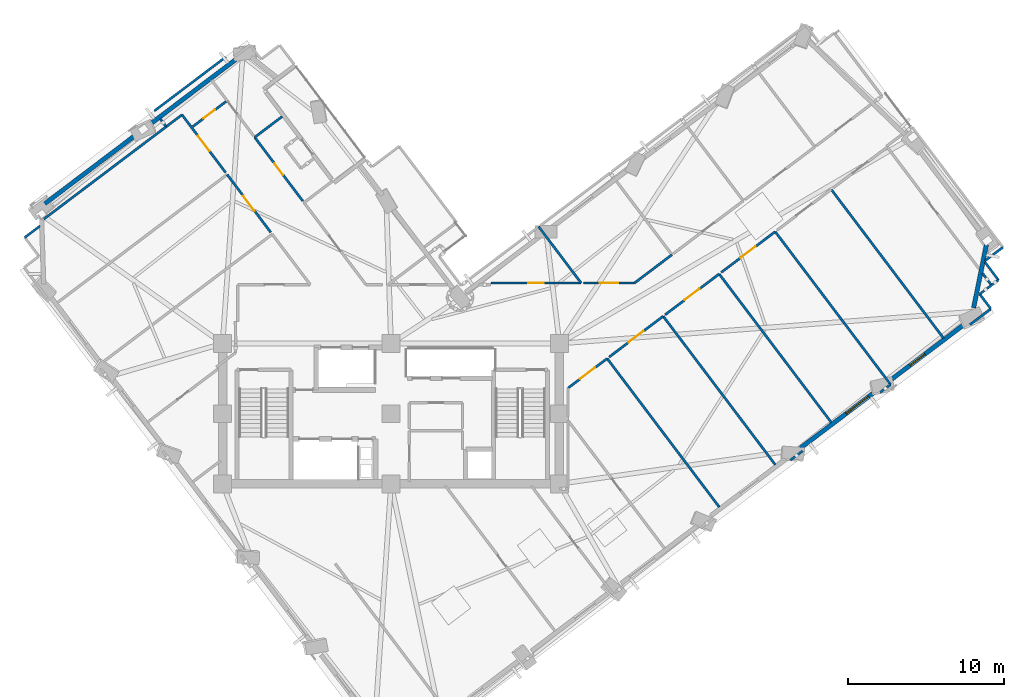
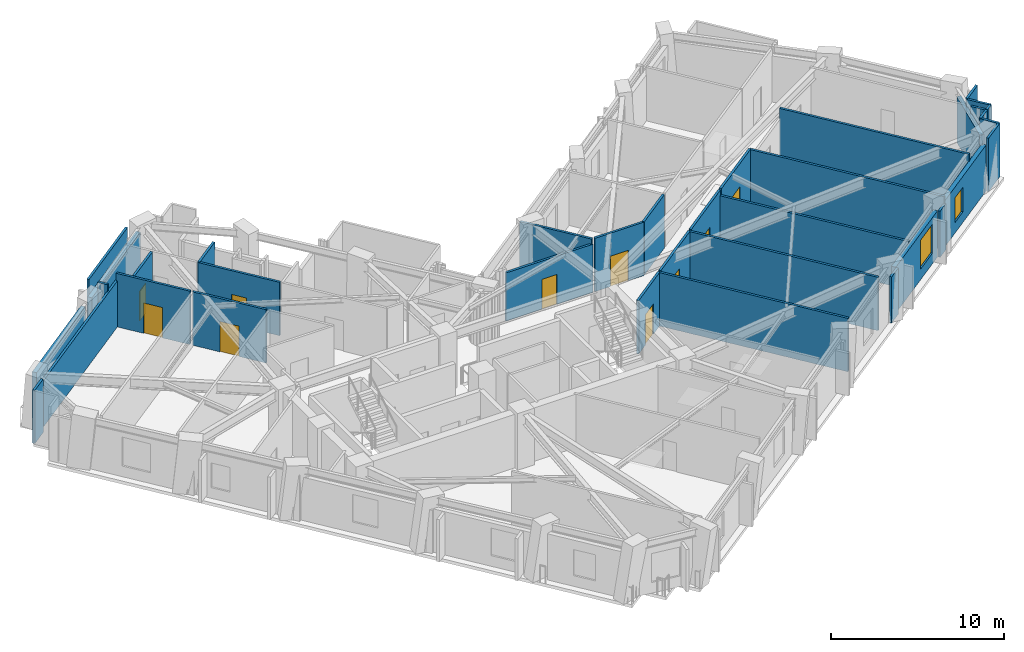
# One storey, part 8 of 15: 36 walls, 10 doors, 2 windows, 12 openings.
"""IFC4 building model written with IfcOpenShell, lengths in metres."""

import ifcopenshell
import ifcopenshell.guid

model = None  # the IFC model being written
_history = None  # IfcOwnerHistory: only IFC2X3 demands one
_inside = {}  # id of a spatial element -> (the spatial element, [elements in it])
_under = {}  # id of a project, library or spatial element -> (it, [spatial elements below it])
_declared = {}  # id of a project -> (the project, [libraries it declares])
_typed = {}  # id of a type object -> (the type object, [elements of that type])
_made_of = {}  # id of a material, layer set ... -> (it, [elements and type objects made of it])


def new_model(schema):
    """Start an empty IFC model of exactly this schema.

    Asked for "IFC4X3", IfcOpenShell would pick the latest addendum, in which some entities
    have other attributes; the version numbers below select the first issue.
    IFC2X3 requires an IfcOwnerHistory on every rooted entity: one is made here for all.
    """
    global model, _history
    if schema == "IFC4X3":
        model = ifcopenshell.file(schema_version=(4, 3, 0, 0))
    else:
        model = ifcopenshell.file(schema=schema)
    _inside.clear()
    _under.clear()
    _declared.clear()
    _typed.clear()
    _made_of.clear()
    _history = None
    if model.schema == "IFC2X3":
        org = make("IfcOrganization", Name="unknown")
        user = make(
            "IfcPersonAndOrganization",
            ThePerson=make("IfcPerson", FamilyName="unknown"),
            TheOrganization=org,
        )
        app = make(
            "IfcApplication",
            ApplicationDeveloper=org,
            Version="unknown",
            ApplicationFullName="unknown",
            ApplicationIdentifier="unknown",
        )
        _history = make(
            "IfcOwnerHistory",
            OwningUser=user,
            OwningApplication=app,
            ChangeAction="ADDED",
            CreationDate=0,
        )
    return model


def make(cls, **values):
    """One entity of the class cls with the attributes given. An attribute that is None is left unset."""
    return model.create_entity(
        cls, **{name: value for name, value in values.items() if value is not None}
    )


def rooted(cls, **values):
    """An entity with a GlobalId (a new one), such as an element, a storey or a relation."""
    return make(cls, GlobalId=ifcopenshell.guid.new(), OwnerHistory=_history, **values)


def si_unit(unit_type, name, prefix=None):
    """IfcSIUnit, for example si_unit("LENGTHUNIT", "METRE", prefix="MILLI")."""
    return make("IfcSIUnit", UnitType=unit_type, Prefix=prefix, Name=name)


def assignment(units):
    """IfcUnitAssignment: the units of a project."""
    return None if units is None else make("IfcUnitAssignment", Units=units)


def point(xyz):
    """IfcCartesianPoint."""
    return None if xyz is None else make("IfcCartesianPoint", Coordinates=xyz)


def direction(xyz):
    """IfcDirection."""
    return None if xyz is None else make("IfcDirection", DirectionRatios=xyz)


def frame(location, z_axis=None, x_axis=None):
    """IfcAxis2Placement3D, a coordinate frame: its origin and axes. An axis left out is left unset."""
    return make(
        "IfcAxis2Placement3D",
        Location=point(location),
        Axis=direction(z_axis),
        RefDirection=direction(x_axis),
    )


def frame_2d(location, x_axis=None):
    """IfcAxis2Placement2D, a coordinate frame in the plane: its origin and x axis."""
    return make(
        "IfcAxis2Placement2D", Location=point(location), RefDirection=direction(x_axis)
    )


def origin():
    """The frame at (0, 0, 0) with its axes left unset."""
    return frame((0.0, 0.0, 0.0))


def place(relative_to, where):
    """IfcLocalPlacement: puts the frame where relative to a parent placement (None: the world)."""
    return make(
        "IfcLocalPlacement", PlacementRelTo=relative_to, RelativePlacement=where
    )


def context(
    kind, dimensions, precision=None, world=None, true_north=None, identifier=None
):
    """IfcGeometricRepresentationContext, for example the 3D "Model" context."""
    return make(
        "IfcGeometricRepresentationContext",
        ContextIdentifier=identifier,
        ContextType=kind,
        CoordinateSpaceDimension=dimensions,
        Precision=precision,
        WorldCoordinateSystem=world,
        TrueNorth=true_north,
    )


def subcontext(parent, identifier, kind, view, scale=None):
    """IfcGeometricRepresentationSubContext, for example "Body" below "Model"."""
    return make(
        "IfcGeometricRepresentationSubContext",
        ContextIdentifier=identifier,
        ContextType=kind,
        ParentContext=parent,
        TargetScale=scale,
        TargetView=view,
    )


def project(units=None, contexts=None):
    """IfcProject with its units and contexts."""
    return rooted(
        "IfcProject",
        Name="project",
        RepresentationContexts=contexts,
        UnitsInContext=assignment(units),
    )


def spatial(cls, under=None, at=None, **own):
    """A site, building, storey or space (cls), placed at a placement, below another one or the project."""
    s = rooted(cls, ObjectPlacement=at, **own)
    if under is not None:
        _under.setdefault(under.id(), (under, []))[1].append(s)
    return s


def profile(cls, at=None, kind="AREA", **sizes):
    """A parametric profile (cls). Its sizes go by their IFC names, for example OverallWidth=200.0."""
    return make(cls, ProfileType=kind, Position=at, **sizes)


def rectangle(**sizes):
    """IfcRectangleProfileDef."""
    return profile("IfcRectangleProfileDef", **sizes)


def extrude(swept, where, along, depth):
    """IfcExtrudedAreaSolid: the profile swept, set in the frame where, extruded along a direction by depth."""
    return make(
        "IfcExtrudedAreaSolid",
        SweptArea=swept,
        Position=where,
        ExtrudedDirection=direction(along),
        Depth=depth,
    )


def shape(context_of_items, identifier, shape_type, items):
    """IfcShapeRepresentation: the items that make up one representation, for example the "Body"."""
    return make(
        "IfcShapeRepresentation",
        ContextOfItems=context_of_items,
        RepresentationIdentifier=identifier,
        RepresentationType=shape_type,
        Items=items,
    )


def material(Name=None, Category=None):
    """IfcMaterial."""
    return make("IfcMaterial", Name=Name, Category=Category)


def layer(
    of_material, thickness, ventilated=None, Name=None, Category=None, Priority=None
):
    """IfcMaterialLayer: one layer of a wall or slab, of a material (None: an air gap)."""
    return make(
        "IfcMaterialLayer",
        Material=of_material,
        LayerThickness=thickness,
        IsVentilated=ventilated,
        Name=Name,
        Category=Category,
        Priority=Priority,
    )


def layer_set(layers, Name=None):
    """IfcMaterialLayerSet."""
    return make("IfcMaterialLayerSet", MaterialLayers=layers, LayerSetName=Name)


def made_of(thing, what):
    """Note that an element or type object is made of a material, layer set ...; save() writes the relation."""
    if what is not None:
        _made_of.setdefault(what.id(), (what, []))[1].append(thing)
    return thing


def type_object(cls, material=None, **own):
    """A type object (cls), such as IfcWallType, which elements share."""
    return made_of(rooted(cls, **own), material)


def element(
    cls,
    number,
    at=None,
    inside=None,
    cuts=None,
    type_object=None,
    material=None,
    context=None,
    identifier="Body",
    shape_type=None,
    held_by="IfcProductDefinitionShape",
    body=None,
    shapes=None,
    **own,
):
    """One element of the class cls, such as IfcWall. Its Tag is "e" and its number.

    at: its placement. inside: the storey or other place that contains it. cuts: it is an
    opening in that element (IfcRelVoidsElement). A single representation is given by context,
    identifier, shape_type and body (its items); several are given by shapes. held_by: the class
    of the entity that holds the representations. save() writes the other relations.
    """
    e = rooted(cls, Tag="e%d" % number, ObjectPlacement=at, **own)
    if body is not None:
        shapes = [shape(context, identifier, shape_type, body)]
    if shapes is not None:
        e.Representation = make(held_by, Representations=shapes)
    if inside is not None:
        _inside.setdefault(inside.id(), (inside, []))[1].append(e)
    if cuts is not None:
        rooted(
            "IfcRelVoidsElement", RelatingBuildingElement=cuts, RelatedOpeningElement=e
        )
    if type_object is not None:
        _typed.setdefault(type_object.id(), (type_object, []))[1].append(e)
    return made_of(e, material)


def fill(opening, filler):
    """IfcRelFillsElement: the door or window that sits in an opening."""
    return rooted(
        "IfcRelFillsElement",
        RelatingOpeningElement=opening,
        RelatedBuildingElement=filler,
    )


def aggregate(whole, parts):
    """IfcRelAggregates: a whole, such as a stair, and the parts it consists of."""
    return rooted("IfcRelAggregates", RelatingObject=whole, RelatedObjects=parts)


def save(model, path):
    """Write the relations noted so far, then the file.

    IfcRelAggregates (storeys below a building ...), IfcRelContainedInSpatialStructure (elements
    in a storey), IfcRelDefinesByType, IfcRelAssociatesMaterial and IfcRelDeclares: one each for
    every whole, place, type object, material and project.
    """
    for whole, parts in _under.values():
        aggregate(whole, parts)
    for where, things in _inside.values():
        rooted(
            "IfcRelContainedInSpatialStructure",
            RelatedElements=things,
            RelatingStructure=where,
        )
    for kind, things in _typed.values():
        rooted("IfcRelDefinesByType", RelatedObjects=things, RelatingType=kind)
    for what, things in _made_of.values():
        rooted("IfcRelAssociatesMaterial", RelatedObjects=things, RelatingMaterial=what)
    for by, libraries in _declared.values():
        rooted("IfcRelDeclares", RelatingContext=by, RelatedDefinitions=libraries)
    model.write(path)


model = new_model("IFC4")

# Units and contexts
model_context = context("Model", 3, precision=1e-05, world=origin(), true_north=direction((0.0, 1.0)))
body_context = subcontext(model_context, "Body", "Model", "MODEL_VIEW")
ifc_project = project(units=[si_unit("LENGTHUNIT", "METRE"), si_unit("AREAUNIT", "SQUARE_METRE"), si_unit("VOLUMEUNIT", "CUBIC_METRE"), si_unit("PLANEANGLEUNIT", "RADIAN"), si_unit("MASSUNIT", "GRAM", prefix="KILO")], contexts=[model_context])

# Site, building, storey
site_placement = place(None, origin())
site = spatial("IfcSite", under=ifc_project, at=site_placement, CompositionType="ELEMENT")
building_placement = place(site_placement, origin())
building = spatial("IfcBuilding", under=site, at=building_placement, Name="Gaonmaruhae Medical Tower", CompositionType="ELEMENT")
storey_placement = place(building_placement, frame((0.0, 0.0, 181.800048828125)))
storey = spatial("IfcBuildingStorey", under=building, at=storey_placement, Name="L43", CompositionType="ELEMENT", Elevation=181.800048828125)

# Wall, opening, window
ifc_material_1 = material(Name="Precast concrete C45/55", Category="concrete")
ifc_layer_1 = layer(ifc_material_1, 0.280029296875)
ifc_layer_set_1 = layer_set([ifc_layer_1], Name="Precast concrete C45/55")
wall_type_1 = type_object("IfcWallType", Name="EW-280 Upper Precast Masonry-Frame Facade Wall", PredefinedType="SOLIDWALL", material=ifc_layer_set_1)
wall_1_placement = place(storey_placement, frame((56.022216796875, 13.8486328125, 0.0), z_axis=(0.0, 0.0, 1.0), x_axis=(-0.798130372836, -0.602484778196, 0.0)))
wall_1 = element("IfcWall", 1, at=wall_1_placement, inside=storey, type_object=wall_type_1, Name="L43 Precast Masonry-Frame Wall S05-S06", PredefinedType="SOLIDWALL", context=body_context, shape_type="SweptSolid", body=[
    extrude(rectangle(XDim=6.21826171875, YDim=0.280029296875, at=frame_2d((3.109130859375, 0.0))), origin(), (0.0, 0.0, 1.0), 3.264892578125),
])
opening_1_placement = place(wall_1_placement, frame((0.745849609375, 0.0, 0.75)))
opening_1 = element("IfcOpeningElement", 2, at=opening_1_placement, cuts=wall_1, Name="Opening WN-04", PredefinedType="OPENING", context=body_context, shape_type="SweptSolid", body=[
    extrude(rectangle(XDim=1.800048828125, YDim=2.050048828125, at=frame_2d((0.89990234375, 1.02490234375))), frame((0.0, 0.14990234375, 0.0), z_axis=(0.0, -1.0, 0.0), x_axis=(1.0, 0.0, 0.0)), (0.0, 0.0, 1.0), 0.300048828125),
])
ifc_material_2 = material(Name="Anodised aluminium and Low-E double glazing", Category="aluminium")
window_type_1 = type_object("IfcWindowType", Name="WN-04 Clinic & Consult Punched Window 1800x2050", PartitioningType="SINGLE_PANEL", PredefinedType="WINDOW", material=ifc_material_2)
window_1_placement = place(opening_1_placement, origin())
window_1 = element("IfcWindow", 3, at=window_1_placement, inside=storey, type_object=window_type_1, Name="L43 Modular Facade Window S05", OverallHeight=2.050048828125, OverallWidth=1.800048828125, PartitioningType="SINGLE_PANEL", PredefinedType="WINDOW", context=body_context, shape_type="SweptSolid", body=[
    extrude(rectangle(XDim=1.800048828125, YDim=2.050048828125, at=frame_2d((0.89990234375, 1.02490234375))), frame((0.0, 0.030029296875, 0.0), z_axis=(0.0, -1.0, 0.0), x_axis=(1.0, 0.0, 0.0)), (0.0, 0.0, 1.0), 0.06005859375),
])
fill(opening_1, window_1)

wall_2_placement = place(storey_placement, frame((61.781005859375, 18.196044921875, 0.0), z_axis=(0.0, 0.0, 1.0), x_axis=(-0.798123503481, -0.602493878136, 0.0)))
wall_2 = element("IfcWall", 4, at=wall_2_placement, inside=storey, type_object=wall_type_1, Name="L43 Precast Masonry-Frame Wall S06-S07", PredefinedType="SOLIDWALL", context=body_context, shape_type="SweptSolid", body=[
    extrude(rectangle(XDim=6.242431640625, YDim=0.280029296875, at=frame_2d((3.12109375, 0.0))), origin(), (0.0, 0.0, 1.0), 3.264892578125),
])
opening_2_placement = place(wall_2_placement, frame((3.4423828125, 0.0, 0.75)))
opening_2 = element("IfcOpeningElement", 5, at=opening_2_placement, cuts=wall_2, Name="Opening WN-05", PredefinedType="OPENING", context=body_context, shape_type="SweptSolid", body=[
    extrude(rectangle(XDim=1.199951171875, YDim=1.75, at=frame_2d((0.60009765625, 0.875))), frame((0.0, 0.14990234375, 0.0), z_axis=(0.0, -1.0, 0.0), x_axis=(1.0, 0.0, 0.0)), (0.0, 0.0, 1.0), 0.300048828125),
])
window_type_2 = type_object("IfcWindowType", Name="WN-05 Support & Staff Punched Window 1200x1750", PartitioningType="SINGLE_PANEL", PredefinedType="WINDOW", material=ifc_material_2)
window_2_placement = place(opening_2_placement, origin())
window_2 = element("IfcWindow", 6, at=window_2_placement, inside=storey, type_object=window_type_2, Name="L43 Modular Facade Window S06", OverallHeight=1.75, OverallWidth=1.199951171875, PartitioningType="SINGLE_PANEL", PredefinedType="WINDOW", context=body_context, shape_type="SweptSolid", body=[
    extrude(rectangle(XDim=1.199951171875, YDim=1.75, at=frame_2d((0.60009765625, 0.875))), frame((0.0, 0.030029296875, 0.0), z_axis=(0.0, -1.0, 0.0), x_axis=(1.0, 0.0, 0.0)), (0.0, 0.0, 1.0), 0.06005859375),
])
fill(opening_2, window_2)

# Walls
wall_3_placement = place(storey_placement, frame((62.98388671875, 23.154052734375, 0.0), z_axis=(0.0, 0.0, 1.0), x_axis=(-0.199365708504, -0.979925157485, 0.0)))
element("IfcWall", 7, at=wall_3_placement, inside=storey, type_object=wall_type_1, Name="L43 Precast Masonry-Frame Wall S07-E01", PredefinedType="SOLIDWALL", context=body_context, shape_type="SweptSolid", body=[
    extrude(rectangle(XDim=4.145263671875, YDim=0.280029296875, at=frame_2d((2.07275390625, 0.0))), origin(), (0.0, 0.0, 1.0), 3.264892578125),
])
wall_4_placement = place(storey_placement, frame((9.164794921875, 30.723388671875, 0.0), z_axis=(0.0, 0.0, 1.0), x_axis=(0.798107969136, 0.602514455928, 0.0)))
element("IfcWall", 8, at=wall_4_placement, inside=storey, type_object=wall_type_1, Name="L43 Precast Masonry-Frame Wall N01-N02", PredefinedType="SOLIDWALL", context=body_context, shape_type="SweptSolid", body=[
    extrude(rectangle(XDim=7.23095703125, YDim=0.280029296875, at=frame_2d((3.615478515625, 0.0))), origin(), (0.0, 0.0, 1.0), 3.264892578125),
])
wall_5_placement = place(storey_placement, frame((2.60107421875, 25.768310546875, 0.0), z_axis=(0.0, 0.0, 1.0), x_axis=(0.798118156469, 0.602500961256, 0.0)))
element("IfcWall", 9, at=wall_5_placement, inside=storey, type_object=wall_type_1, Name="L43 Precast Masonry-Frame Wall N02-N03", PredefinedType="SOLIDWALL", context=body_context, shape_type="SweptSolid", body=[
    extrude(rectangle(XDim=7.27001953125, YDim=0.280029296875, at=frame_2d((3.635009765625, 0.0))), origin(), (0.0, 0.0, 1.0), 3.264892578125),
])
ifc_material_3 = material(Name="Gypsum board partition", Category="gypsum")
ifc_layer_2 = layer(ifc_material_3, 0.14990234375)
ifc_layer_set_2 = layer_set([ifc_layer_2], Name="Gypsum board partition")
wall_type_2 = type_object("IfcWallType", Name="PW-150 Rated Clinical Corridor Partition", PredefinedType="PARTITIONING", material=ifc_layer_set_2)
wall_6_placement = place(storey_placement, frame((38.659912109375, 15.840087890625, 0.0), z_axis=(0.0, 0.0, 1.0), x_axis=(0.602494190997, -0.798123267306, 0.0)))
element("IfcWall", 10, at=wall_6_placement, inside=storey, type_object=wall_type_2, Name="L43 Interior Partition L43-SUP06-18", PredefinedType="PARTITIONING", context=body_context, shape_type="SweptSolid", body=[
    extrude(rectangle(XDim=11.935546875, YDim=0.14990234375, at=frame_2d((5.9677734375, 0.0))), origin(), (0.0, 0.0, 1.0), 3.780029296875),
])

# Wall, opening, door
wall_7_placement = place(storey_placement, frame((36.14990234375, 13.945068359375, 0.0), z_axis=(0.0, 0.0, 1.0), x_axis=(0.79808631642, 0.602543136665, 0.0)))
wall_7 = element("IfcWall", 11, at=wall_7_placement, inside=storey, type_object=wall_type_2, Name="L43 Interior Partition L43-SUP06-21", PredefinedType="PARTITIONING", context=body_context, shape_type="SweptSolid", body=[
    extrude(rectangle(XDim=3.14501953125, YDim=0.14990234375, at=frame_2d((1.572509765625, 0.0))), origin(), (0.0, 0.0, 1.0), 3.780029296875),
])
opening_3_placement = place(wall_7_placement, frame((0.972412109375, 0.0, 0.0)))
opening_3 = element("IfcOpeningElement", 12, at=opening_3_placement, cuts=wall_7, Name="Opening CD-02", PredefinedType="OPENING", context=body_context, shape_type="SweptSolid", body=[
    extrude(rectangle(XDim=1.199951171875, YDim=2.14990234375, at=frame_2d((0.60009765625, 1.074951171875))), frame((0.0, 0.0849609375, 0.0), z_axis=(0.0, -1.0, 0.0), x_axis=(1.0, 0.0, 0.0)), (0.0, 0.0, 1.0), 0.169921875),
])
ifc_material_4 = material(Name="Antimicrobial laminate timber fire door", Category="wood")
door_type_1 = type_object("IfcDoorType", Name="CD-02 Clinical Treatment & Procedure Door 1200x2150", OperationType="NOTDEFINED", PredefinedType="DOOR", material=ifc_material_4)
door_1_placement = place(opening_3_placement, origin())
door_1 = element("IfcDoor", 13, at=door_1_placement, inside=storey, type_object=door_type_1, Name="L43 Clinical Biomedical Charting Office Door", OperationType="SINGLE_SWING_RIGHT", OverallHeight=2.14990234375, OverallWidth=1.199951171875, PredefinedType="DOOR", context=body_context, shape_type="SweptSolid", body=[
    extrude(rectangle(XDim=1.199951171875, YDim=2.14990234375, at=frame_2d((0.60009765625, 1.074951171875))), frame((0.0, 0.02490234375, 0.0), z_axis=(0.0, -1.0, 0.0), x_axis=(1.0, 0.0, 0.0)), (0.0, 0.0, 1.0), 0.050048828125),
])
fill(opening_3, door_1)

wall_8_placement = place(storey_placement, frame((38.7880859375, 15.93603515625, 0.0), z_axis=(0.0, 0.0, 1.0), x_axis=(0.798105957369, 0.602517120763, 0.0)))
wall_8 = element("IfcWall", 14, at=wall_8_placement, inside=storey, type_object=wall_type_2, Name="L43 Interior Partition L43-SUP07-22", PredefinedType="PARTITIONING", context=body_context, shape_type="SweptSolid", body=[
    extrude(rectangle(XDim=4.340087890625, YDim=0.14990234375, at=frame_2d((2.169921875, 0.0))), origin(), (0.0, 0.0, 1.0), 3.780029296875),
])
opening_4_placement = place(wall_8_placement, frame((1.570068359375, 0.0, 0.0)))
opening_4 = element("IfcOpeningElement", 15, at=opening_4_placement, cuts=wall_8, Name="Opening CD-02", PredefinedType="OPENING", context=body_context, shape_type="SweptSolid", body=[
    extrude(rectangle(XDim=1.199951171875, YDim=2.14990234375, at=frame_2d((0.60009765625, 1.074951171875))), frame((0.0, 0.0849609375, 0.0), z_axis=(0.0, -1.0, 0.0), x_axis=(1.0, 0.0, 0.0)), (0.0, 0.0, 1.0), 0.169921875),
])
door_2_placement = place(opening_4_placement, origin())
door_2 = element("IfcDoor", 16, at=door_2_placement, inside=storey, type_object=door_type_1, Name="L43 Clinical Biomedical Charting Office Door", OperationType="SINGLE_SWING_LEFT", OverallHeight=2.14990234375, OverallWidth=1.199951171875, PredefinedType="DOOR", context=body_context, shape_type="SweptSolid", body=[
    extrude(rectangle(XDim=1.199951171875, YDim=2.14990234375, at=frame_2d((0.60009765625, 1.074951171875))), frame((0.0, 0.02490234375, 0.0), z_axis=(0.0, -1.0, 0.0), x_axis=(1.0, 0.0, 0.0)), (0.0, 0.0, 1.0), 0.050048828125),
])
fill(opening_4, door_2)

# Wall
wall_9_placement = place(storey_placement, frame((42.251953125, 18.551025390625, 0.0), z_axis=(0.0, 0.0, 1.0), x_axis=(0.602533536667, -0.798093564184, 0.0)))
element("IfcWall", 17, at=wall_9_placement, inside=storey, type_object=wall_type_2, Name="L43 Interior Partition L43-SUP07-23", PredefinedType="PARTITIONING", context=body_context, shape_type="SweptSolid", body=[
    extrude(rectangle(XDim=11.934814453125, YDim=0.14990234375, at=frame_2d((5.96728515625, 0.0))), origin(), (0.0, 0.0, 1.0), 3.780029296875),
])

# Wall, opening, door
wall_10_placement = place(storey_placement, frame((42.37890625, 18.64794921875, 0.0), z_axis=(0.0, 0.0, 1.0), x_axis=(0.798234572406, 0.602346716946, 0.0)))
wall_10 = element("IfcWall", 18, at=wall_10_placement, inside=storey, type_object=wall_type_2, Name="L43 Interior Partition L43-SUP08-24", PredefinedType="PARTITIONING", context=body_context, shape_type="SweptSolid", body=[
    extrude(rectangle(XDim=4.339599609375, YDim=0.14990234375, at=frame_2d((2.169921875, 0.0))), origin(), (0.0, 0.0, 1.0), 3.780029296875),
])
opening_5_placement = place(wall_10_placement, frame((1.56982421875, 0.0, 0.0)))
opening_5 = element("IfcOpeningElement", 19, at=opening_5_placement, cuts=wall_10, Name="Opening CD-02", PredefinedType="OPENING", context=body_context, shape_type="SweptSolid", body=[
    extrude(rectangle(XDim=1.199951171875, YDim=2.14990234375, at=frame_2d((0.60009765625, 1.074951171875))), frame((0.0, 0.0849609375, 0.0), z_axis=(0.0, -1.0, 0.0), x_axis=(1.0, 0.0, 0.0)), (0.0, 0.0, 1.0), 0.169921875),
])
door_3_placement = place(opening_5_placement, origin())
door_3 = element("IfcDoor", 20, at=door_3_placement, inside=storey, type_object=door_type_1, Name="L43 Clinical Biomedical Charting Office Door", OperationType="SINGLE_SWING_LEFT", OverallHeight=2.14990234375, OverallWidth=1.199951171875, PredefinedType="DOOR", context=body_context, shape_type="SweptSolid", body=[
    extrude(rectangle(XDim=1.199951171875, YDim=2.14990234375, at=frame_2d((0.60009765625, 1.074951171875))), frame((0.0, 0.02490234375, 0.0), z_axis=(0.0, -1.0, 0.0), x_axis=(1.0, 0.0, 0.0)), (0.0, 0.0, 1.0), 0.050048828125),
])
fill(opening_5, door_3)

# Walls
wall_11_placement = place(storey_placement, frame((45.843017578125, 21.261962890625, 0.0), z_axis=(0.0, 0.0, 1.0), x_axis=(0.602530343885, -0.798095974616, 0.0)))
element("IfcWall", 21, at=wall_11_placement, inside=storey, type_object=wall_type_2, Name="L43 Interior Partition L43-SUP08-25", PredefinedType="PARTITIONING", context=body_context, shape_type="SweptSolid", body=[
    extrude(rectangle(XDim=11.9345703125, YDim=0.14990234375, at=frame_2d((5.96728515625, 0.0))), origin(), (0.0, 0.0, 1.0), 3.4150390625),
])
wall_12_placement = place(storey_placement, frame((51.197998046875, 9.9189453125, 0.0), z_axis=(0.0, 0.0, 1.0), x_axis=(-0.798339084961, -0.602208191097, 0.0)))
element("IfcWall", 22, at=wall_12_placement, inside=storey, type_object=wall_type_2, Name="L43 Interior Partition L43-SUP08-26", PredefinedType="PARTITIONING", context=body_context, shape_type="SweptSolid", body=[
    extrude(rectangle(XDim=0.989501953125, YDim=0.14990234375, at=frame_2d((0.49462890625, 0.0))), origin(), (0.0, 0.0, 1.0), 3.264892578125),
])

# Wall, opening, door
wall_13_placement = place(storey_placement, frame((45.970947265625, 21.35888671875, 0.0), z_axis=(0.0, 0.0, 1.0), x_axis=(0.79809932877, 0.602525901035, 0.0)))
wall_13 = element("IfcWall", 23, at=wall_13_placement, inside=storey, type_object=wall_type_2, Name="L43 Interior Partition L43-SUP09-27", PredefinedType="PARTITIONING", context=body_context, shape_type="SweptSolid", body=[
    extrude(rectangle(XDim=4.34033203125, YDim=0.14990234375, at=frame_2d((2.170166015625, 0.0))), origin(), (0.0, 0.0, 1.0), 3.780029296875),
])
opening_6_placement = place(wall_13_placement, frame((1.570068359375, 0.0, 0.0)))
opening_6 = element("IfcOpeningElement", 24, at=opening_6_placement, cuts=wall_13, Name="Opening CD-02", PredefinedType="OPENING", context=body_context, shape_type="SweptSolid", body=[
    extrude(rectangle(XDim=1.199951171875, YDim=2.14990234375, at=frame_2d((0.60009765625, 1.074951171875))), frame((0.0, 0.0849609375, 0.0), z_axis=(0.0, -1.0, 0.0), x_axis=(1.0, 0.0, 0.0)), (0.0, 0.0, 1.0), 0.169921875),
])
door_4_placement = place(opening_6_placement, origin())
door_4 = element("IfcDoor", 25, at=door_4_placement, inside=storey, type_object=door_type_1, Name="L43 Clinical Biomedical Charting Office Door", OperationType="SINGLE_SWING_RIGHT", OverallHeight=2.14990234375, OverallWidth=1.199951171875, PredefinedType="DOOR", context=body_context, shape_type="SweptSolid", body=[
    extrude(rectangle(XDim=1.199951171875, YDim=2.14990234375, at=frame_2d((0.60009765625, 1.074951171875))), frame((0.0, 0.02490234375, 0.0), z_axis=(0.0, -1.0, 0.0), x_axis=(1.0, 0.0, 0.0)), (0.0, 0.0, 1.0), 0.050048828125),
])
fill(opening_6, door_4)

# Walls
wall_14_placement = place(storey_placement, frame((49.43505859375, 23.97412109375, 0.0), z_axis=(0.0, 0.0, 1.0), x_axis=(0.60250679657, -0.798113751346, 0.0)))
element("IfcWall", 26, at=wall_14_placement, inside=storey, type_object=wall_type_2, Name="L43 Interior Partition L43-SUP09-28", PredefinedType="PARTITIONING", context=body_context, shape_type="SweptSolid", body=[
    extrude(rectangle(XDim=12.2802734375, YDim=0.14990234375, at=frame_2d((6.14013671875, 0.0))), origin(), (0.0, 0.0, 1.0), 3.780029296875),
])
wall_15_placement = place(storey_placement, frame((56.833984375, 14.173095703125, 0.0), z_axis=(0.0, 0.0, 1.0), x_axis=(-0.798155005104, -0.602452145674, 0.0)))
element("IfcWall", 27, at=wall_15_placement, inside=storey, type_object=wall_type_2, Name="L43 Interior Partition L43-SUP09-29", PredefinedType="PARTITIONING", context=body_context, shape_type="SweptSolid", body=[
    extrude(rectangle(XDim=0.84326171875, YDim=0.14990234375, at=frame_2d((0.421630859375, 0.0))), origin(), (0.0, 0.0, 1.0), 3.264892578125),
])
wall_16_placement = place(storey_placement, frame((53.02587890625, 26.68505859375, 0.0), z_axis=(0.0, 0.0, 1.0), x_axis=(0.602533536667, -0.798093564184, 0.0)))
element("IfcWall", 28, at=wall_16_placement, inside=storey, type_object=wall_type_2, Name="L43 Interior Partition L43-SUP10-31", PredefinedType="PARTITIONING", context=body_context, shape_type="SweptSolid", body=[
    extrude(rectangle(XDim=11.934814453125, YDim=0.14990234375, at=frame_2d((5.96728515625, 0.0))), origin(), (0.0, 0.0, 1.0), 3.780029296875),
])
wall_17_placement = place(storey_placement, frame((63.26611328125, 19.029052734375, 0.0), z_axis=(0.0, 0.0, 1.0), x_axis=(-0.798365007662, -0.602173824191, 0.0)))
element("IfcWall", 29, at=wall_17_placement, inside=storey, type_object=wall_type_2, Name="L43 Interior Partition L43-SUP11-32", PredefinedType="PARTITIONING", context=body_context, shape_type="SweptSolid", body=[
    extrude(rectangle(XDim=1.6875, YDim=0.14990234375, at=frame_2d((0.84375, 0.0))), origin(), (0.0, 0.0, 1.0), 3.780029296875),
])
wall_18_placement = place(storey_placement, frame((62.72509765625, 21.305908203125, 0.0), z_axis=(0.0, 0.0, 1.0), x_axis=(0.60279365945, -0.797897113748, 0.0)))
element("IfcWall", 30, at=wall_18_placement, inside=storey, type_object=wall_type_2, Name="L43 Interior Partition L43-SUP11-35", PredefinedType="PARTITIONING", context=body_context, shape_type="SweptSolid", body=[
    extrude(rectangle(XDim=0.963623046875, YDim=0.14990234375, at=frame_2d((0.48193359375, 0.0))), origin(), (0.0, 0.0, 1.0), 3.780029296875),
])
wall_19_placement = place(storey_placement, frame((63.305908203125, 20.537109375, 0.0), z_axis=(0.0, 0.0, 1.0), x_axis=(-0.798502270997, -0.601991796633, 0.0)))
element("IfcWall", 31, at=wall_19_placement, inside=storey, type_object=wall_type_2, Name="L43 Interior Partition L43-SUP11-36", PredefinedType="PARTITIONING", context=body_context, shape_type="SweptSolid", body=[
    extrude(rectangle(XDim=0.9404296875, YDim=0.14990234375, at=frame_2d((0.47021484375, 0.0))), origin(), (0.0, 0.0, 1.0), 3.780029296875),
])
wall_20_placement = place(storey_placement, frame((62.554931640625, 19.970947265625, 0.0), z_axis=(0.0, 0.0, 1.0), x_axis=(0.602578468566, -0.79805964014, 0.0)))
element("IfcWall", 32, at=wall_20_placement, inside=storey, type_object=wall_type_2, Name="L43 Interior Partition L43-SUP11-37", PredefinedType="PARTITIONING", context=body_context, shape_type="SweptSolid", body=[
    extrude(rectangle(XDim=1.18017578125, YDim=0.14990234375, at=frame_2d((0.590087890625, 0.0))), origin(), (0.0, 0.0, 1.0), 3.780029296875),
])

# Wall, opening, door
wall_21_placement = place(storey_placement, frame((14.291015625, 27.638916015625, 0.0), z_axis=(0.0, 0.0, 1.0), x_axis=(0.602581465391, -0.798057377365, 0.0)))
wall_21 = element("IfcWall", 33, at=wall_21_placement, inside=storey, type_object=wall_type_2, Name="L43 Interior Partition L43-WOF16-53", PredefinedType="PARTITIONING", context=body_context, shape_type="SweptSolid", body=[
    extrude(rectangle(XDim=4.639892578125, YDim=0.14990234375, at=frame_2d((2.31982421875, 0.0))), origin(), (0.0, 0.0, 1.0), 3.780029296875),
])
opening_7_placement = place(wall_21_placement, frame((1.719970703125, 0.0, 0.0)))
opening_7 = element("IfcOpeningElement", 34, at=opening_7_placement, cuts=wall_21, Name="Opening CD-02", PredefinedType="OPENING", context=body_context, shape_type="SweptSolid", body=[
    extrude(rectangle(XDim=1.199951171875, YDim=2.14990234375, at=frame_2d((0.60009765625, 1.074951171875))), frame((0.0, 0.0849609375, 0.0), z_axis=(0.0, -1.0, 0.0), x_axis=(1.0, 0.0, 0.0)), (0.0, 0.0, 1.0), 0.169921875),
])
door_5_placement = place(opening_7_placement, origin())
door_5 = element("IfcDoor", 35, at=door_5_placement, inside=storey, type_object=door_type_1, Name="L43 Ward Physician Reporting Office Door", OperationType="SINGLE_SWING_LEFT", OverallHeight=2.14990234375, OverallWidth=1.199951171875, PredefinedType="DOOR", context=body_context, shape_type="SweptSolid", body=[
    extrude(rectangle(XDim=1.199951171875, YDim=2.14990234375, at=frame_2d((0.60009765625, 1.074951171875))), frame((0.0, 0.02490234375, 0.0), z_axis=(0.0, -1.0, 0.0), x_axis=(1.0, 0.0, 0.0)), (0.0, 0.0, 1.0), 0.050048828125),
])
fill(opening_7, door_5)

wall_22_placement = place(storey_placement, frame((11.39892578125, 31.469970703125, 0.0), z_axis=(0.0, 0.0, 1.0), x_axis=(0.602614975976, -0.798032073747, 0.0)))
wall_22 = element("IfcWall", 36, at=wall_22_placement, inside=storey, type_object=wall_type_2, Name="L43 Interior Partition L43-WOF17-54", PredefinedType="PARTITIONING", context=body_context, shape_type="SweptSolid", body=[
    extrude(rectangle(XDim=4.64013671875, YDim=0.14990234375, at=frame_2d((2.320068359375, 0.0))), origin(), (0.0, 0.0, 1.0), 3.780029296875),
])
opening_8_placement = place(wall_22_placement, frame((1.719970703125, 0.0, 0.0)))
opening_8 = element("IfcOpeningElement", 37, at=opening_8_placement, cuts=wall_22, Name="Opening CD-02", PredefinedType="OPENING", context=body_context, shape_type="SweptSolid", body=[
    extrude(rectangle(XDim=1.199951171875, YDim=2.14990234375, at=frame_2d((0.60009765625, 1.074951171875))), frame((0.0, 0.0849609375, 0.0), z_axis=(0.0, -1.0, 0.0), x_axis=(1.0, 0.0, 0.0)), (0.0, 0.0, 1.0), 0.169921875),
])
door_6_placement = place(opening_8_placement, origin())
door_6 = element("IfcDoor", 38, at=door_6_placement, inside=storey, type_object=door_type_1, Name="L43 Ward Physician Reporting Office Door", OperationType="SINGLE_SWING_LEFT", OverallHeight=2.14990234375, OverallWidth=1.199951171875, PredefinedType="DOOR", context=body_context, shape_type="SweptSolid", body=[
    extrude(rectangle(XDim=1.199951171875, YDim=2.14990234375, at=frame_2d((0.60009765625, 1.074951171875))), frame((0.0, 0.02490234375, 0.0), z_axis=(0.0, -1.0, 0.0), x_axis=(1.0, 0.0, 0.0)), (0.0, 0.0, 1.0), 0.050048828125),
])
fill(opening_8, door_6)

# Walls
wall_23_placement = place(storey_placement, frame((1.303955078125, 23.597900390625, 0.0), z_axis=(0.0, 0.0, 1.0), x_axis=(0.79803169235, 0.602615481053, 0.0)))
element("IfcWall", 39, at=wall_23_placement, inside=storey, type_object=wall_type_2, Name="L43 Interior Partition L43-WOF17-58", PredefinedType="PARTITIONING", context=body_context, shape_type="SweptSolid", body=[
    extrude(rectangle(XDim=1.238037109375, YDim=0.14990234375, at=frame_2d((0.619140625, 0.0))), origin(), (0.0, 0.0, 1.0), 3.780029296875),
])
wall_24_placement = place(storey_placement, frame((2.509033203125, 24.759033203125, 0.0), z_axis=(0.0, 0.0, 1.0), x_axis=(0.798120739774, 0.6024975392, 0.0)))
element("IfcWall", 40, at=wall_24_placement, inside=storey, type_object=wall_type_2, Name="L43 Interior Partition L43-WOF17-59", PredefinedType="PARTITIONING", context=body_context, shape_type="SweptSolid", body=[
    extrude(rectangle(XDim=11.138427734375, YDim=0.14990234375, at=frame_2d((5.5693359375, 0.0))), origin(), (0.0, 0.0, 1.0), 3.264892578125),
])
wall_25_placement = place(storey_placement, frame((34.263916015625, 24.299072265625, 0.0), z_axis=(0.0, 0.0, 1.0), x_axis=(0.602375188934, -0.798213086686, 0.0)))
element("IfcWall", 41, at=wall_25_placement, inside=storey, type_object=wall_type_2, Name="L43 Interior Partition L43-IE02-75", PredefinedType="PARTITIONING", context=body_context, shape_type="SweptSolid", body=[
    extrude(rectangle(XDim=4.533935546875, YDim=0.14990234375, at=frame_2d((2.26708984375, 0.0))), origin(), (0.0, 0.0, 1.0), 3.780029296875),
])

# Wall, opening, door
wall_26_placement = place(storey_placement, frame((36.9951171875, 20.679931640625, 0.0), z_axis=(0.0, 0.0, 1.0), x_axis=(-1.0, 0.0, 0.0)))
wall_26 = element("IfcWall", 42, at=wall_26_placement, inside=storey, type_object=wall_type_2, Name="L43 Interior Partition L43-IE02-76", PredefinedType="PARTITIONING", context=body_context, shape_type="SweptSolid", body=[
    extrude(rectangle(XDim=5.798095703125, YDim=0.14990234375, at=frame_2d((2.89892578125, 0.0))), origin(), (0.0, 0.0, 1.0), 3.4150390625),
])
opening_9_placement = place(wall_26_placement, frame((2.39892578125, 0.0, 0.0)))
opening_9 = element("IfcOpeningElement", 43, at=opening_9_placement, cuts=wall_26, Name="Opening CD-01", PredefinedType="OPENING", context=body_context, shape_type="SweptSolid", body=[
    extrude(rectangle(XDim=1.0, YDim=2.1201171875, at=frame_2d((0.5, 1.06005859375))), frame((0.0, 0.0849609375, 0.0), z_axis=(0.0, -1.0, 0.0), x_axis=(1.0, 0.0, 0.0)), (0.0, 0.0, 1.0), 0.169921875),
])
door_type_2 = type_object("IfcDoorType", Name="CD-01 Consultation & Physician Office Door 1000x2120", OperationType="NOTDEFINED", PredefinedType="DOOR", material=ifc_material_4)
door_7_placement = place(opening_9_placement, origin())
door_7 = element("IfcDoor", 44, at=door_7_placement, inside=storey, type_object=door_type_2, Name="L43 Acute Treatment Examination Room Door", OperationType="SINGLE_SWING_LEFT", OverallHeight=2.1201171875, OverallWidth=1.0, PredefinedType="DOOR", context=body_context, shape_type="SweptSolid", body=[
    extrude(rectangle(XDim=1.0, YDim=2.1201171875, at=frame_2d((0.5, 1.06005859375))), frame((0.0, 0.02490234375, 0.0), z_axis=(0.0, -1.0, 0.0), x_axis=(1.0, 0.0, 0.0)), (0.0, 0.0, 1.0), 0.050048828125),
])
fill(opening_9, door_7)

# Wall
wall_27_placement = place(storey_placement, frame((42.81298828125, 22.49609375, 0.0), z_axis=(0.0, 0.0, 1.0), x_axis=(-0.798022287303, -0.602627935768, 0.0)))
element("IfcWall", 45, at=wall_27_placement, inside=storey, type_object=wall_type_2, Name="L43 Interior Partition L43-IE03-80", PredefinedType="PARTITIONING", context=body_context, shape_type="SweptSolid", body=[
    extrude(rectangle(XDim=3.013671875, YDim=0.14990234375, at=frame_2d((1.5068359375, 0.0))), origin(), (0.0, 0.0, 1.0), 3.780029296875),
])

# Wall, opening, door
wall_28_placement = place(storey_placement, frame((40.407958984375, 20.679931640625, 0.0), z_axis=(0.0, 0.0, 1.0), x_axis=(-1.0, 0.0, 0.0)))
wall_28 = element("IfcWall", 46, at=wall_28_placement, inside=storey, type_object=wall_type_2, Name="L43 Interior Partition L43-IE03-81", PredefinedType="PARTITIONING", context=body_context, shape_type="SweptSolid", body=[
    extrude(rectangle(XDim=3.261962890625, YDim=0.14990234375, at=frame_2d((1.630859375, 0.0))), origin(), (0.0, 0.0, 1.0), 3.780029296875),
])
opening_10_placement = place(wall_28_placement, frame((1.031005859375, 0.0, 0.0)))
opening_10 = element("IfcOpeningElement", 47, at=opening_10_placement, cuts=wall_28, Name="Opening CD-02", PredefinedType="OPENING", context=body_context, shape_type="SweptSolid", body=[
    extrude(rectangle(XDim=1.199951171875, YDim=2.14990234375, at=frame_2d((0.60009765625, 1.074951171875))), frame((0.0, 0.0849609375, 0.0), z_axis=(0.0, -1.0, 0.0), x_axis=(1.0, 0.0, 0.0)), (0.0, 0.0, 1.0), 0.169921875),
])
door_8_placement = place(opening_10_placement, origin())
door_8 = element("IfcDoor", 48, at=door_8_placement, inside=storey, type_object=door_type_1, Name="L43 Clean Medication Preparation Room Door", OperationType="SINGLE_SWING_LEFT", OverallHeight=2.14990234375, OverallWidth=1.199951171875, PredefinedType="DOOR", context=body_context, shape_type="SweptSolid", body=[
    extrude(rectangle(XDim=1.199951171875, YDim=2.14990234375, at=frame_2d((0.60009765625, 1.074951171875))), frame((0.0, 0.02490234375, 0.0), z_axis=(0.0, -1.0, 0.0), x_axis=(1.0, 0.0, 0.0)), (0.0, 0.0, 1.0), 0.050048828125),
])
fill(opening_10, door_8)

# Wall
wall_29_placement = place(storey_placement, frame((16.05908203125, 30.027099609375, 0.0), z_axis=(0.0, 0.0, 1.0), x_axis=(0.798237153688, 0.602343296196, 0.0)))
element("IfcWall", 49, at=wall_29_placement, inside=storey, type_object=wall_type_2, Name="L43 Interior Partition L43-IN02-101", PredefinedType="PARTITIONING", context=body_context, shape_type="SweptSolid", body=[
    extrude(rectangle(XDim=2.214599609375, YDim=0.14990234375, at=frame_2d((1.107421875, 0.0))), origin(), (0.0, 0.0, 1.0), 3.780029296875),
])

# Wall, opening, door
wall_30_placement = place(storey_placement, frame((19.14990234375, 25.93310546875, 0.0), z_axis=(0.0, 0.0, 1.0), x_axis=(-0.602532763548, 0.798094147862, 0.0)))
wall_30 = element("IfcWall", 50, at=wall_30_placement, inside=storey, type_object=wall_type_2, Name="L43 Interior Partition L43-IN02-105", PredefinedType="PARTITIONING", context=body_context, shape_type="SweptSolid", body=[
    extrude(rectangle(XDim=5.129638671875, YDim=0.14990234375, at=frame_2d((2.56494140625, 0.0))), origin(), (0.0, 0.0, 1.0), 3.780029296875),
])
opening_11_placement = place(wall_30_placement, frame((2.10498046875, 0.0, 0.0)))
opening_11 = element("IfcOpeningElement", 51, at=opening_11_placement, cuts=wall_30, Name="Opening UD-01", PredefinedType="OPENING", context=body_context, shape_type="SweptSolid", body=[
    extrude(rectangle(XDim=0.919921875, YDim=2.10009765625, at=frame_2d((0.4599609375, 1.050048828125))), frame((0.0, 0.0849609375, 0.0), z_axis=(0.0, -1.0, 0.0), x_axis=(1.0, 0.0, 0.0)), (0.0, 0.0, 1.0), 0.169921875),
])
ifc_material_5 = material(Name="Powder-coated steel utility door", Category="steel")
door_type_3 = type_object("IfcDoorType", Name="UD-01 Toilet, Utility & Housekeeping Door 920x2100", OperationType="NOTDEFINED", PredefinedType="DOOR", material=ifc_material_5)
door_9_placement = place(opening_11_placement, origin())
door_9 = element("IfcDoor", 52, at=door_9_placement, inside=storey, type_object=door_type_3, Name="L43 Ward Nutrition Pantry Door", OperationType="SINGLE_SWING_RIGHT", OverallHeight=2.10009765625, OverallWidth=0.919921875, PredefinedType="DOOR", context=body_context, shape_type="SweptSolid", body=[
    extrude(rectangle(XDim=0.919921875, YDim=2.10009765625, at=frame_2d((0.4599609375, 1.050048828125))), frame((0.0, 0.02490234375, 0.0), z_axis=(0.0, -1.0, 0.0), x_axis=(1.0, 0.0, 0.0)), (0.0, 0.0, 1.0), 0.050048828125),
])
fill(opening_11, door_9)

# Walls
wall_31_placement = place(storey_placement, frame((10.373046875, 30.720947265625, 0.0), z_axis=(0.0, 0.0, 1.0), x_axis=(-0.60196768023, 0.79852045181, 0.0)))
element("IfcWall", 53, at=wall_31_placement, inside=storey, type_object=wall_type_2, Name="L43 Interior Partition L43-RM03-111", PredefinedType="PARTITIONING", context=body_context, shape_type="SweptSolid", body=[
    extrude(rectangle(XDim=0.61474609375, YDim=0.14990234375, at=frame_2d((0.307373046875, 0.0))), origin(), (0.0, 0.0, 1.0), 3.780029296875),
])
wall_32_placement = place(storey_placement, frame((9.6201171875, 31.718994140625, 0.0), z_axis=(0.0, 0.0, 1.0), x_axis=(0.798122768772, 0.602494851404, 0.0)))
element("IfcWall", 54, at=wall_32_placement, inside=storey, type_object=wall_type_2, Name="L43 Interior Partition L43-RM03-112", PredefinedType="PARTITIONING", context=body_context, shape_type="SweptSolid", body=[
    extrude(rectangle(XDim=5.739501953125, YDim=0.14990234375, at=frame_2d((2.86962890625, 0.0))), origin(), (0.0, 0.0, 1.0), 3.780029296875),
])

# Wall, opening, door
wall_33_placement = place(storey_placement, frame((14.221923828125, 32.319091796875, 0.0), z_axis=(0.0, 0.0, 1.0), x_axis=(-0.798855231842, -0.601523331683, 0.0)))
wall_33 = element("IfcWall", 55, at=wall_33_placement, inside=storey, type_object=wall_type_2, Name="L43 Interior Partition L43-RM03-113", PredefinedType="PARTITIONING", context=body_context, shape_type="SweptSolid", body=[
    extrude(rectangle(XDim=2.6650390625, YDim=0.14990234375, at=frame_2d((1.33251953125, 0.0))), origin(), (0.0, 0.0, 1.0), 3.780029296875),
])
opening_12_placement = place(wall_33_placement, frame((0.87255859375, 0.0, 0.0)))
opening_12 = element("IfcOpeningElement", 56, at=opening_12_placement, cuts=wall_33, Name="Opening UD-01", PredefinedType="OPENING", context=body_context, shape_type="SweptSolid", body=[
    extrude(rectangle(XDim=0.919921875, YDim=2.10009765625, at=frame_2d((0.4599609375, 1.050048828125))), frame((0.0, 0.0849609375, 0.0), z_axis=(0.0, -1.0, 0.0), x_axis=(1.0, 0.0, 0.0)), (0.0, 0.0, 1.0), 0.169921875),
])
door_10_placement = place(opening_12_placement, origin())
door_10 = element("IfcDoor", 57, at=door_10_placement, inside=storey, type_object=door_type_3, Name="L43 Biomedical Mobile Equipment Bay Door", OperationType="SINGLE_SWING_LEFT", OverallHeight=2.10009765625, OverallWidth=0.919921875, PredefinedType="DOOR", context=body_context, shape_type="SweptSolid", body=[
    extrude(rectangle(XDim=0.919921875, YDim=2.10009765625, at=frame_2d((0.4599609375, 1.050048828125))), frame((0.0, 0.02490234375, 0.0), z_axis=(0.0, -1.0, 0.0), x_axis=(1.0, 0.0, 0.0)), (0.0, 0.0, 1.0), 0.050048828125),
])
fill(opening_12, door_10)

# Walls
wall_34_placement = place(storey_placement, frame((63.751953125, 20.875, 0.0), z_axis=(0.0, 0.0, 1.0), x_axis=(-0.796894093215, -0.604119031483, 0.0)))
element("IfcWall", 58, at=wall_34_placement, inside=storey, type_object=wall_type_2, Name="L43 Interior Partition L43-RM05-117", PredefinedType="PARTITIONING", context=body_context, shape_type="SweptSolid", body=[
    extrude(rectangle(XDim=0.53955078125, YDim=0.14990234375, at=frame_2d((0.269775390625, 0.0))), origin(), (0.0, 0.0, 1.0), 3.780029296875),
])
wall_35_placement = place(storey_placement, frame((64.0458984375, 22.97607421875, 0.0), z_axis=(0.0, 0.0, 1.0), x_axis=(-0.798079317633, -0.602552406656, 0.0)))
element("IfcWall", 59, at=wall_35_placement, inside=storey, type_object=wall_type_2, Name="L43 Interior Partition L43-RM05-121", PredefinedType="PARTITIONING", context=body_context, shape_type="SweptSolid", body=[
    extrude(rectangle(XDim=1.4521484375, YDim=0.14990234375, at=frame_2d((0.72607421875, 0.0))), origin(), (0.0, 0.0, 1.0), 3.780029296875),
])
wall_36_placement = place(storey_placement, frame((62.8740234375, 22.0380859375, 0.0), z_axis=(0.0, 0.0, 1.0), x_axis=(0.602463294748, -0.798146589594, 0.0)))
element("IfcWall", 60, at=wall_36_placement, inside=storey, type_object=wall_type_2, Name="L43 Interior Partition L43-RM05-122", PredefinedType="PARTITIONING", context=body_context, shape_type="SweptSolid", body=[
    extrude(rectangle(XDim=1.457275390625, YDim=0.14990234375, at=frame_2d((0.728515625, 0.0))), origin(), (0.0, 0.0, 1.0), 3.780029296875),
])

save(model, "model.ifc")
